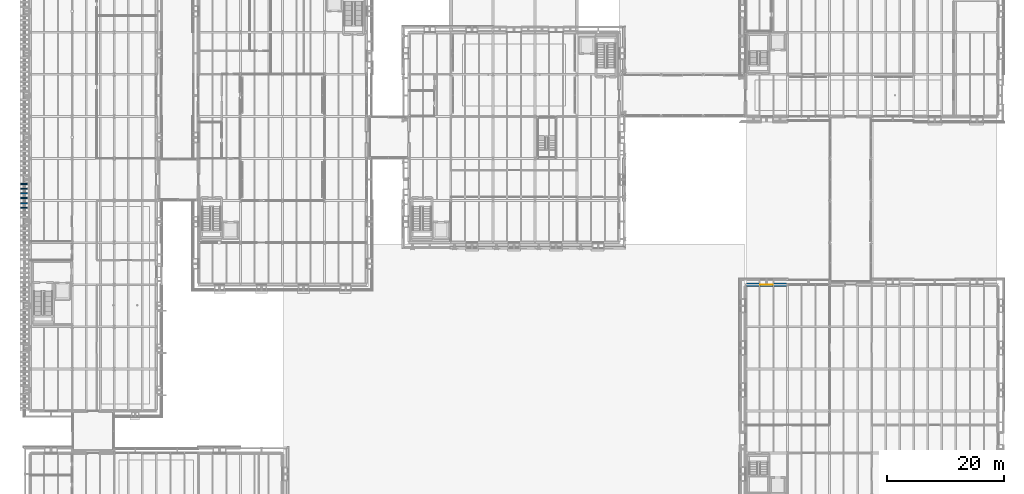
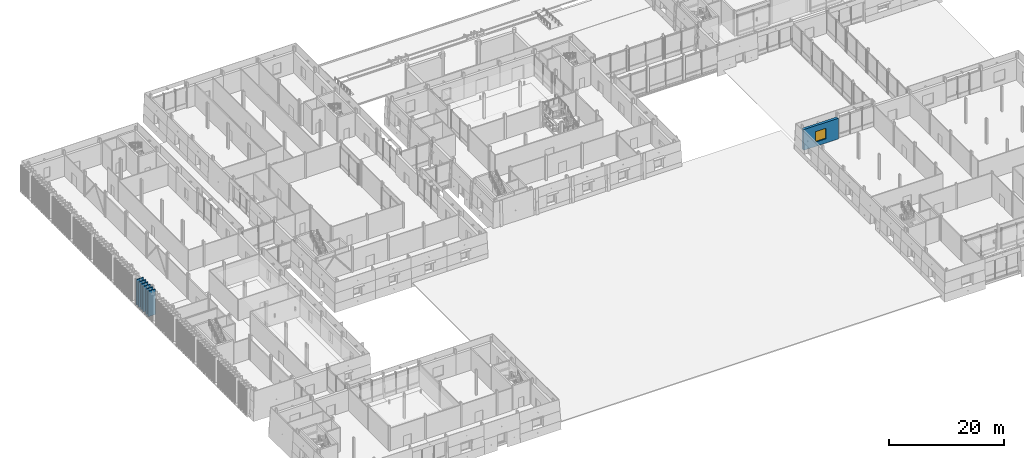
# One storey, part 72 of 120: 7 walls, 1 window, 1 opening.
"""IFC4 building model written with IfcOpenShell, lengths in metres."""

import ifcopenshell
import ifcopenshell.guid

model = None  # the IFC model being written
_history = None  # IfcOwnerHistory: only IFC2X3 demands one
_inside = {}  # id of a spatial element -> (the spatial element, [elements in it])
_under = {}  # id of a project, library or spatial element -> (it, [spatial elements below it])
_declared = {}  # id of a project -> (the project, [libraries it declares])
_typed = {}  # id of a type object -> (the type object, [elements of that type])
_made_of = {}  # id of a material, layer set ... -> (it, [elements and type objects made of it])


def new_model(schema):
    """Start an empty IFC model of exactly this schema.

    Asked for "IFC4X3", IfcOpenShell would pick the latest addendum, in which some entities
    have other attributes; the version numbers below select the first issue.
    IFC2X3 requires an IfcOwnerHistory on every rooted entity: one is made here for all.
    """
    global model, _history
    if schema == "IFC4X3":
        model = ifcopenshell.file(schema_version=(4, 3, 0, 0))
    else:
        model = ifcopenshell.file(schema=schema)
    _inside.clear()
    _under.clear()
    _declared.clear()
    _typed.clear()
    _made_of.clear()
    _history = None
    if model.schema == "IFC2X3":
        org = make("IfcOrganization", Name="unknown")
        user = make(
            "IfcPersonAndOrganization",
            ThePerson=make("IfcPerson", FamilyName="unknown"),
            TheOrganization=org,
        )
        app = make(
            "IfcApplication",
            ApplicationDeveloper=org,
            Version="unknown",
            ApplicationFullName="unknown",
            ApplicationIdentifier="unknown",
        )
        _history = make(
            "IfcOwnerHistory",
            OwningUser=user,
            OwningApplication=app,
            ChangeAction="ADDED",
            CreationDate=0,
        )
    return model


def make(cls, **values):
    """One entity of the class cls with the attributes given. An attribute that is None is left unset."""
    return model.create_entity(
        cls, **{name: value for name, value in values.items() if value is not None}
    )


def rooted(cls, **values):
    """An entity with a GlobalId (a new one), such as an element, a storey or a relation."""
    return make(cls, GlobalId=ifcopenshell.guid.new(), OwnerHistory=_history, **values)


def si_unit(unit_type, name, prefix=None):
    """IfcSIUnit, for example si_unit("LENGTHUNIT", "METRE", prefix="MILLI")."""
    return make("IfcSIUnit", UnitType=unit_type, Prefix=prefix, Name=name)


def assignment(units):
    """IfcUnitAssignment: the units of a project."""
    return None if units is None else make("IfcUnitAssignment", Units=units)


def point(xyz):
    """IfcCartesianPoint."""
    return None if xyz is None else make("IfcCartesianPoint", Coordinates=xyz)


def direction(xyz):
    """IfcDirection."""
    return None if xyz is None else make("IfcDirection", DirectionRatios=xyz)


def frame(location, z_axis=None, x_axis=None):
    """IfcAxis2Placement3D, a coordinate frame: its origin and axes. An axis left out is left unset."""
    return make(
        "IfcAxis2Placement3D",
        Location=point(location),
        Axis=direction(z_axis),
        RefDirection=direction(x_axis),
    )


def frame_2d(location, x_axis=None):
    """IfcAxis2Placement2D, a coordinate frame in the plane: its origin and x axis."""
    return make(
        "IfcAxis2Placement2D", Location=point(location), RefDirection=direction(x_axis)
    )


def origin():
    """The frame at (0, 0, 0) with its axes left unset."""
    return frame((0.0, 0.0, 0.0))


def place(relative_to, where):
    """IfcLocalPlacement: puts the frame where relative to a parent placement (None: the world)."""
    return make(
        "IfcLocalPlacement", PlacementRelTo=relative_to, RelativePlacement=where
    )


def context(
    kind, dimensions, precision=None, world=None, true_north=None, identifier=None
):
    """IfcGeometricRepresentationContext, for example the 3D "Model" context."""
    return make(
        "IfcGeometricRepresentationContext",
        ContextIdentifier=identifier,
        ContextType=kind,
        CoordinateSpaceDimension=dimensions,
        Precision=precision,
        WorldCoordinateSystem=world,
        TrueNorth=true_north,
    )


def subcontext(parent, identifier, kind, view, scale=None):
    """IfcGeometricRepresentationSubContext, for example "Body" below "Model"."""
    return make(
        "IfcGeometricRepresentationSubContext",
        ContextIdentifier=identifier,
        ContextType=kind,
        ParentContext=parent,
        TargetScale=scale,
        TargetView=view,
    )


def project(units=None, contexts=None):
    """IfcProject with its units and contexts."""
    return rooted(
        "IfcProject",
        Name="project",
        RepresentationContexts=contexts,
        UnitsInContext=assignment(units),
    )


def spatial(cls, under=None, at=None, **own):
    """A site, building, storey or space (cls), placed at a placement, below another one or the project."""
    s = rooted(cls, ObjectPlacement=at, **own)
    if under is not None:
        _under.setdefault(under.id(), (under, []))[1].append(s)
    return s


def profile(cls, at=None, kind="AREA", **sizes):
    """A parametric profile (cls). Its sizes go by their IFC names, for example OverallWidth=200.0."""
    return make(cls, ProfileType=kind, Position=at, **sizes)


def rectangle(**sizes):
    """IfcRectangleProfileDef."""
    return profile("IfcRectangleProfileDef", **sizes)


def extrude(swept, where, along, depth):
    """IfcExtrudedAreaSolid: the profile swept, set in the frame where, extruded along a direction by depth."""
    return make(
        "IfcExtrudedAreaSolid",
        SweptArea=swept,
        Position=where,
        ExtrudedDirection=direction(along),
        Depth=depth,
    )


def shape(context_of_items, identifier, shape_type, items):
    """IfcShapeRepresentation: the items that make up one representation, for example the "Body"."""
    return make(
        "IfcShapeRepresentation",
        ContextOfItems=context_of_items,
        RepresentationIdentifier=identifier,
        RepresentationType=shape_type,
        Items=items,
    )


def material(Name=None, Category=None):
    """IfcMaterial."""
    return make("IfcMaterial", Name=Name, Category=Category)


def layer(
    of_material, thickness, ventilated=None, Name=None, Category=None, Priority=None
):
    """IfcMaterialLayer: one layer of a wall or slab, of a material (None: an air gap)."""
    return make(
        "IfcMaterialLayer",
        Material=of_material,
        LayerThickness=thickness,
        IsVentilated=ventilated,
        Name=Name,
        Category=Category,
        Priority=Priority,
    )


def layer_set(layers, Name=None):
    """IfcMaterialLayerSet."""
    return make("IfcMaterialLayerSet", MaterialLayers=layers, LayerSetName=Name)


def made_of(thing, what):
    """Note that an element or type object is made of a material, layer set ...; save() writes the relation."""
    if what is not None:
        _made_of.setdefault(what.id(), (what, []))[1].append(thing)
    return thing


def type_object(cls, material=None, **own):
    """A type object (cls), such as IfcWallType, which elements share."""
    return made_of(rooted(cls, **own), material)


def element(
    cls,
    number,
    at=None,
    inside=None,
    cuts=None,
    type_object=None,
    material=None,
    context=None,
    identifier="Body",
    shape_type=None,
    held_by="IfcProductDefinitionShape",
    body=None,
    shapes=None,
    **own,
):
    """One element of the class cls, such as IfcWall. Its Tag is "e" and its number.

    at: its placement. inside: the storey or other place that contains it. cuts: it is an
    opening in that element (IfcRelVoidsElement). A single representation is given by context,
    identifier, shape_type and body (its items); several are given by shapes. held_by: the class
    of the entity that holds the representations. save() writes the other relations.
    """
    e = rooted(cls, Tag="e%d" % number, ObjectPlacement=at, **own)
    if body is not None:
        shapes = [shape(context, identifier, shape_type, body)]
    if shapes is not None:
        e.Representation = make(held_by, Representations=shapes)
    if inside is not None:
        _inside.setdefault(inside.id(), (inside, []))[1].append(e)
    if cuts is not None:
        rooted(
            "IfcRelVoidsElement", RelatingBuildingElement=cuts, RelatedOpeningElement=e
        )
    if type_object is not None:
        _typed.setdefault(type_object.id(), (type_object, []))[1].append(e)
    return made_of(e, material)


def fill(opening, filler):
    """IfcRelFillsElement: the door or window that sits in an opening."""
    return rooted(
        "IfcRelFillsElement",
        RelatingOpeningElement=opening,
        RelatedBuildingElement=filler,
    )


def aggregate(whole, parts):
    """IfcRelAggregates: a whole, such as a stair, and the parts it consists of."""
    return rooted("IfcRelAggregates", RelatingObject=whole, RelatedObjects=parts)


def save(model, path):
    """Write the relations noted so far, then the file.

    IfcRelAggregates (storeys below a building ...), IfcRelContainedInSpatialStructure (elements
    in a storey), IfcRelDefinesByType, IfcRelAssociatesMaterial and IfcRelDeclares: one each for
    every whole, place, type object, material and project.
    """
    for whole, parts in _under.values():
        aggregate(whole, parts)
    for where, things in _inside.values():
        rooted(
            "IfcRelContainedInSpatialStructure",
            RelatedElements=things,
            RelatingStructure=where,
        )
    for kind, things in _typed.values():
        rooted("IfcRelDefinesByType", RelatedObjects=things, RelatingType=kind)
    for what, things in _made_of.values():
        rooted("IfcRelAssociatesMaterial", RelatedObjects=things, RelatingMaterial=what)
    for by, libraries in _declared.values():
        rooted("IfcRelDeclares", RelatingContext=by, RelatedDefinitions=libraries)
    model.write(path)


model = new_model("IFC4")

# Units and contexts
model_context = context("Model", 3, precision=1e-05, world=origin(), true_north=direction((0.0, 1.0)))
body_context = subcontext(model_context, "Body", "Model", "MODEL_VIEW")
ifc_project = project(units=[si_unit("LENGTHUNIT", "METRE"), si_unit("AREAUNIT", "SQUARE_METRE"), si_unit("VOLUMEUNIT", "CUBIC_METRE"), si_unit("PLANEANGLEUNIT", "RADIAN"), si_unit("MASSUNIT", "GRAM", prefix="KILO")], contexts=[model_context])

# Site, building, storey
site_placement = place(None, origin())
site = spatial("IfcSite", under=ifc_project, at=site_placement, CompositionType="ELEMENT")
building_placement = place(site_placement, origin())
building = spatial("IfcBuilding", under=site, at=building_placement, Name="Narikvali Park Central Library", CompositionType="ELEMENT")
storey_placement = place(building_placement, origin())
storey = spatial("IfcBuildingStorey", under=building, at=storey_placement, Name="L00", CompositionType="ELEMENT", Elevation=0.0)

# Walls
ifc_material_1 = material(Name="Kiln-Fired Terracotta Red Brick Masonry", Category="masonry")
ifc_layer_1 = layer(ifc_material_1, 0.199951171875, Name="Kiln-Fired Terracotta Red Brick Masonry")
ifc_layer_set_1 = layer_set([ifc_layer_1], Name="Kiln-Fired Terracotta Red Brick Masonry")
wall_type_1 = type_object("IfcWallType", Name="Kiln-Fired Red Brick Vertical Fin Wall 200", PredefinedType="SOLIDWALL", material=ifc_layer_set_1)
for number, where, z_axis, x_axis, name in (
    (1, (-1.659912109375, 63.550048828125, 0.0), (0.0, 0.0, 1.0), (1.0, 0.0, 0.0), "West Stacks Red Brick Vertical Fin Pier 205"),
    (2, (-1.659912109375, 64.35009765625, 0.0), (0.0, 0.0, 1.0), (1.0, 0.0, 0.0), "West Stacks Red Brick Vertical Fin Pier 211"),
    (3, (-1.659912109375, 65.25, 0.0), (0.0, 0.0, 1.0), (1.0, 0.0, 0.0), "West Stacks Red Brick Vertical Fin Pier 217"),
    (4, (-1.659912109375, 66.050048828125, 0.0), (0.0, 0.0, 1.0), (1.0, 0.0, 0.0), "West Stacks Red Brick Vertical Fin Pier 223"),
    (5, (-1.659912109375, 66.85009765625, 0.0), (0.0, 0.0, 1.0), (1.0, 0.0, 0.0), "West Stacks Red Brick Vertical Fin Pier 229"),
    (6, (-1.659912109375, 67.64990234375, 0.0), (0.0, 0.0, 1.0), (1.0, 0.0, 0.0), "West Stacks Red Brick Vertical Fin Pier 235"),
):
    element("IfcWall", number, at=place(storey_placement, frame(where, z_axis=z_axis, x_axis=x_axis)), inside=storey, type_object=wall_type_1, Name=name, PredefinedType="SOLIDWALL", context=body_context, shape_type="SweptSolid", body=[
        extrude(rectangle(XDim=1.43994140625, YDim=0.199951171875, at=frame_2d((0.719970703125, 0.0))), origin(), (0.0, 0.0, 1.0), 5.39990234375),
    ])

# Wall, opening, window
ifc_material_2 = material(Name="White Rusticated Limestone over Concrete C35/45", Category="masonry")
ifc_layer_2 = layer(ifc_material_2, 0.52001953125, Name="White Rusticated Limestone over Concrete C35/45")
ifc_layer_set_2 = layer_set([ifc_layer_2], Name="White Rusticated Limestone over Concrete C35/45")
wall_type_2 = type_object("IfcWallType", Name="White Limestone Ashlar Plinth Wall 520", PredefinedType="SOLIDWALL", material=ifc_layer_set_2)
wall_placement = place(storey_placement, frame((129.60009765625, 50.39990234375, 0.0), z_axis=(0.0, 0.0, 1.0), x_axis=(-1.0, 0.0, 0.0)))
wall = element("IfcWall", 7, at=wall_placement, inside=storey, type_object=wall_type_2, Name="V6 L00 N Exterior Limestone Wall B06", PredefinedType="SOLIDWALL", context=body_context, shape_type="SweptSolid", body=[
    extrude(rectangle(XDim=7.046142578125, YDim=0.52001953125, at=frame_2d((3.52294921875, 0.0))), origin(), (0.0, 0.0, 1.0), 4.39990234375),
])
opening_placement = place(wall_placement, frame((2.5, 0.0, 0.89990234375)))
opening = element("IfcOpeningElement", 8, at=opening_placement, cuts=wall, Name="Opening WIN-0355", PredefinedType="OPENING", context=body_context, shape_type="SweptSolid", body=[
    extrude(rectangle(XDim=2.199951171875, YDim=2.25, at=frame_2d((1.10009765625, 1.125))), frame((0.0, 0.27197265625, 0.0), z_axis=(0.0, -1.0, 0.0), x_axis=(1.0, 0.0, 0.0)), (0.0, 0.0, 1.0), 0.5439453125),
])
ifc_material_3 = material(Name="Anodised Bronze Aluminium and Low-E Triple Glazing", Category="aluminium")
window_type = type_object("IfcWindowType", Name="Community & Fine Arts Studio Window 2200x2250", PartitioningType="TRIPLE_PANEL_VERTICAL", PredefinedType="WINDOW", material=ifc_material_3)
window_placement = place(opening_placement, origin())
window = element("IfcWindow", 9, at=window_placement, inside=storey, type_object=window_type, Name="V6 L00 N Deep-Reveal Window WIN-0355", OverallHeight=2.25, OverallWidth=2.199951171875, PartitioningType="SINGLE_PANEL", PredefinedType="WINDOW", context=body_context, shape_type="SweptSolid", body=[
    extrude(rectangle(XDim=2.199951171875, YDim=2.25, at=frame_2d((1.10009765625, 1.125))), frame((0.0, 0.030029296875, 0.0), z_axis=(0.0, -1.0, 0.0), x_axis=(1.0, 0.0, 0.0)), (0.0, 0.0, 1.0), 0.06005859375),
])
fill(opening, window)

save(model, "model.ifc")
